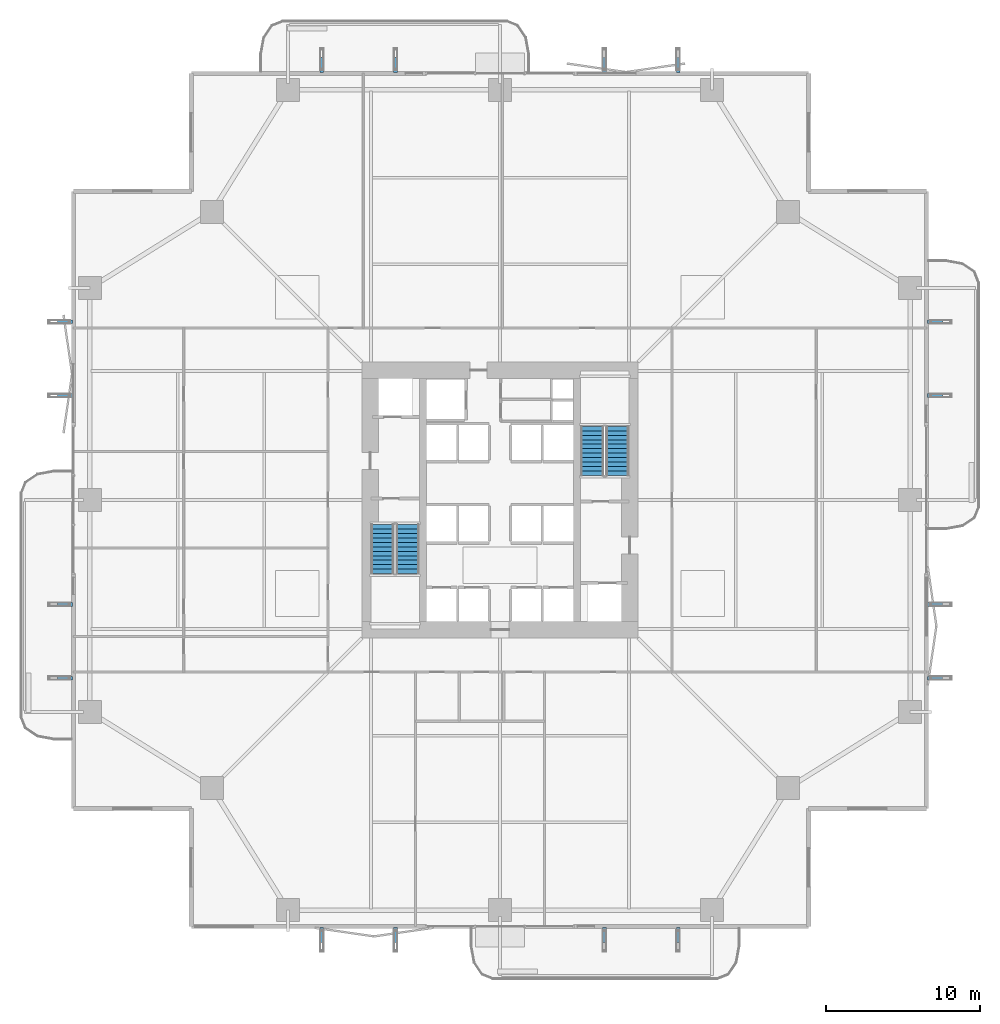
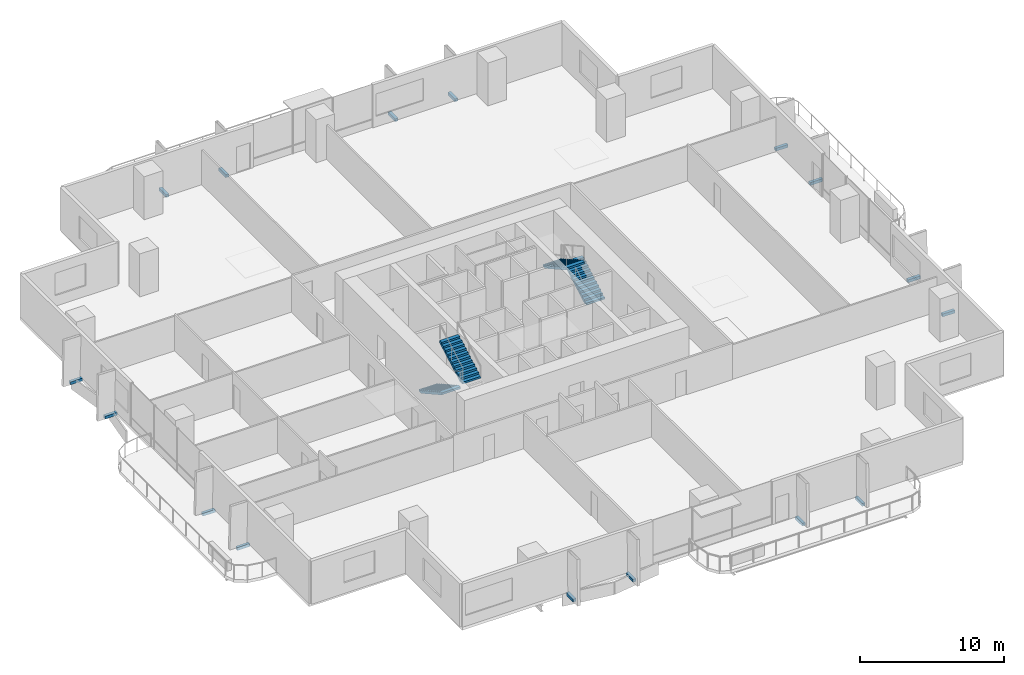
# One storey, part 20 of 24: 16 discrete accessories, 4 stair flights, 2 elements without a shape of their own.
"""IFC4 building model written with IfcOpenShell, lengths in metres."""

from ifc_helpers import new_model, si_unit, direction, frame, origin, origin_2d, place, context, subcontext, project, spatial, polyline, rectangle, outline, extrude, material, layer, layer_set, type_object, element, aggregate, save


model = new_model("IFC4")

# Units and contexts
model_context = context("Model", 3, precision=1e-05, world=origin(), true_north=direction((0.0, 1.0)))
body_context = subcontext(model_context, "Body", "Model", "MODEL_VIEW")
ifc_project = project(units=[si_unit("LENGTHUNIT", "METRE"), si_unit("AREAUNIT", "SQUARE_METRE"), si_unit("VOLUMEUNIT", "CUBIC_METRE"), si_unit("PLANEANGLEUNIT", "RADIAN"), si_unit("MASSUNIT", "GRAM", prefix="KILO")], contexts=[model_context])

# Site, building, storey
site_placement = place(None, origin())
site = spatial("IfcSite", under=ifc_project, at=site_placement, CompositionType="ELEMENT")
building_placement = place(site_placement, origin())
building = spatial("IfcBuilding", under=site, at=building_placement, Name="Belovzor Exchange Tower", CompositionType="ELEMENT")
storey_placement = place(building_placement, frame((0.0, 0.0, 80.699951171875)))
storey = spatial("IfcBuildingStorey", under=building, at=storey_placement, Name="L19", CompositionType="ELEMENT", Elevation=80.699951171875)

# Stair, stair flights
ifc_material_1 = material(Name="Concrete C40/50", Category="concrete")
stair_type = type_object("IfcStairType", Name="Reinforced Concrete Dogleg Escape Stair 1350", PredefinedType="HALF_TURN_STAIR", material=ifc_material_1)
stair_1_placement = place(storey_placement, origin())
stair_1 = element("IfcStair", 1, at=stair_1_placement, inside=storey, type_object=stair_type, Name="L19 ST-1", PredefinedType="HALF_TURN_STAIR")
ifc_material_2 = material(Name="Concrete C40/50", Category="concrete")
stair_flight_type = type_object("IfcStairFlightType", Name="Reinforced Concrete Stair Flight 1350", PredefinedType="STRAIGHT", material=ifc_material_2)
stair_flight_1_placement = place(storey_placement, frame((21.14990234375, 27.199951171875, 0.0), z_axis=(0.0, 0.0, 1.0), x_axis=(0.0, -1.0, 0.0)))
stair_flight_1 = element("IfcStairFlight", 2, at=stair_flight_1_placement, type_object=stair_flight_type, Name="ST-1 flight 1", NumberOfRisers=12, NumberOfTreads=11, PredefinedType="STRAIGHT", RiserHeight=0.1625, TreadLength=0.29, context=body_context, shape_type="SweptSolid", body=[
    extrude(outline(polyline([(0.0, 0.0), (0.0, 0.16259765625), (0.2900390625, 0.16259765625), (0.2900390625, 0.324951171875), (0.580078125, 0.324951171875), (0.580078125, 0.487548828125), (0.8701171875, 0.487548828125), (0.8701171875, 0.64990234375), (1.159912109375, 0.64990234375), (1.159912109375, 0.8125), (1.449951171875, 0.8125), (1.449951171875, 0.97509765625), (1.739990234375, 0.97509765625), (1.739990234375, 1.137451171875), (2.030029296875, 1.137451171875), (2.030029296875, 1.300048828125), (2.320068359375, 1.300048828125), (2.320068359375, 1.46240234375), (2.610107421875, 1.46240234375), (2.610107421875, 1.625), (2.89990234375, 1.625), (2.89990234375, 1.78759765625), (3.18994140625, 1.78759765625), (3.18994140625, 1.949951171875), (3.18994140625, 1.61572265625), (0.306640625, 0.0), (0.0, 0.0)])), frame((0.0, 0.75, 0.0), z_axis=(0.0, -1.0, 0.0), x_axis=(1.0, 0.0, 0.0)), (0.0, 0.0, 1.0), 1.5),
])
stair_flight_2_placement = place(storey_placement, frame((22.800048828125, 24.010009765625, 1.949951171875), z_axis=(0.0, 0.0, 1.0), x_axis=(0.0, 1.0, 0.0)))
stair_flight_2 = element("IfcStairFlight", 3, at=stair_flight_2_placement, type_object=stair_flight_type, Name="ST-1 flight 2", NumberOfRisers=12, NumberOfTreads=11, PredefinedType="STRAIGHT", RiserHeight=0.1625, TreadLength=0.29, context=body_context, shape_type="SweptSolid", body=[
    extrude(outline(polyline([(0.0, 0.0), (0.0, 0.16259765625), (0.2900390625, 0.16259765625), (0.2900390625, 0.324951171875), (0.580078125, 0.324951171875), (0.580078125, 0.487548828125), (0.8701171875, 0.487548828125), (0.8701171875, 0.64990234375), (1.159912109375, 0.64990234375), (1.159912109375, 0.8125), (1.449951171875, 0.8125), (1.449951171875, 0.97509765625), (1.739990234375, 0.97509765625), (1.739990234375, 1.137451171875), (2.030029296875, 1.137451171875), (2.030029296875, 1.300048828125), (2.320068359375, 1.300048828125), (2.320068359375, 1.46240234375), (2.610107421875, 1.46240234375), (2.610107421875, 1.625), (2.89990234375, 1.625), (2.89990234375, 1.78759765625), (3.18994140625, 1.78759765625), (3.18994140625, 1.949951171875), (3.18994140625, 1.61572265625), (0.306640625, 0.0), (0.0, 0.0)])), frame((0.0, 0.75, 0.0), z_axis=(0.0, -1.0, 0.0), x_axis=(1.0, 0.0, 0.0)), (0.0, 0.0, 1.0), 1.5),
])
aggregate(stair_1, [stair_flight_1, stair_flight_2])

stair_2_placement = place(storey_placement, origin())
stair_2 = element("IfcStair", 4, at=stair_2_placement, inside=storey, type_object=stair_type, Name="L19 ST-2", PredefinedType="HALF_TURN_STAIR")
stair_flight_3_placement = place(storey_placement, frame((36.449951171875, 30.39990234375, 0.0), z_axis=(0.0, 0.0, 1.0), x_axis=(0.0, 1.0, 0.0)))
stair_flight_3 = element("IfcStairFlight", 5, at=stair_flight_3_placement, type_object=stair_flight_type, Name="ST-2 flight 1", NumberOfRisers=12, NumberOfTreads=11, PredefinedType="STRAIGHT", RiserHeight=0.1625, TreadLength=0.29, context=body_context, shape_type="SweptSolid", body=[
    extrude(outline(polyline([(0.0, 0.0), (0.0, 0.16259765625), (0.2900390625, 0.16259765625), (0.2900390625, 0.324951171875), (0.580078125, 0.324951171875), (0.580078125, 0.487548828125), (0.8701171875, 0.487548828125), (0.8701171875, 0.64990234375), (1.159912109375, 0.64990234375), (1.159912109375, 0.8125), (1.449951171875, 0.8125), (1.449951171875, 0.97509765625), (1.739990234375, 0.97509765625), (1.739990234375, 1.137451171875), (2.030029296875, 1.137451171875), (2.030029296875, 1.300048828125), (2.320068359375, 1.300048828125), (2.320068359375, 1.46240234375), (2.610107421875, 1.46240234375), (2.610107421875, 1.625), (2.89990234375, 1.625), (2.89990234375, 1.78759765625), (3.18994140625, 1.78759765625), (3.18994140625, 1.949951171875), (3.18994140625, 1.61572265625), (0.306640625, 0.0), (0.0, 0.0)])), frame((0.0, 0.75, 0.0), z_axis=(0.0, -1.0, 0.0), x_axis=(1.0, 0.0, 0.0)), (0.0, 0.0, 1.0), 1.5),
])
stair_flight_4_placement = place(storey_placement, frame((34.800048828125, 33.590087890625, 1.949951171875), z_axis=(0.0, 0.0, 1.0), x_axis=(0.0, -1.0, 0.0)))
stair_flight_4 = element("IfcStairFlight", 6, at=stair_flight_4_placement, type_object=stair_flight_type, Name="ST-2 flight 2", NumberOfRisers=12, NumberOfTreads=11, PredefinedType="STRAIGHT", RiserHeight=0.1625, TreadLength=0.29, context=body_context, shape_type="SweptSolid", body=[
    extrude(outline(polyline([(0.0, 0.0), (0.0, 0.16259765625), (0.2900390625, 0.16259765625), (0.2900390625, 0.324951171875), (0.580078125, 0.324951171875), (0.580078125, 0.487548828125), (0.8701171875, 0.487548828125), (0.8701171875, 0.64990234375), (1.159912109375, 0.64990234375), (1.159912109375, 0.8125), (1.449951171875, 0.8125), (1.449951171875, 0.97509765625), (1.739990234375, 0.97509765625), (1.739990234375, 1.137451171875), (2.030029296875, 1.137451171875), (2.030029296875, 1.300048828125), (2.320068359375, 1.300048828125), (2.320068359375, 1.46240234375), (2.610107421875, 1.46240234375), (2.610107421875, 1.625), (2.89990234375, 1.625), (2.89990234375, 1.78759765625), (3.18994140625, 1.78759765625), (3.18994140625, 1.949951171875), (3.18994140625, 1.61572265625), (0.306640625, 0.0), (0.0, 0.0)])), frame((0.0, 0.75, 0.0), z_axis=(0.0, -1.0, 0.0), x_axis=(1.0, 0.0, 0.0)), (0.0, 0.0, 1.0), 1.5),
])
aggregate(stair_2, [stair_flight_3, stair_flight_4])

# Discrete accessories
ifc_material_3 = material(Name="Stainless Steel Grade 316", Category="steel")
ifc_layer = layer(ifc_material_3, 0.179931640625)
ifc_layer_set = layer_set([ifc_layer], Name="Stainless Steel Grade 316")
discrete_accessory_type = type_object("IfcDiscreteAccessoryType", Name="Stainless Steel Facade Outrigger Fixing Bracket", PredefinedType="BRACKET", material=ifc_layer_set)
for number, where, z_axis, x_axis, name in (
    (7, (17.199951171875, 0.486083984375, -0.2451171875), (0.0, 0.0, 1.0), (0.0, 1.0, 0.0), "BRK-FIN1 Sweeping Fin Outrigger Bracket L19 S1"),
    (8, (17.199951171875, 57.114013671875, -0.2451171875), (0.0, 0.0, 1.0), (0.0, 1.0, 0.0), "BRK-FIN1 Sweeping Fin Outrigger Bracket L19 N1"),
    (9, (0.486083984375, 17.199951171875, -0.2451171875), (0.0, 0.0, 1.0), (1.0, 0.0, 0.0), "BRK-FIN1 Sweeping Fin Outrigger Bracket L19 W1"),
    (10, (57.114013671875, 17.199951171875, -0.2451171875), (0.0, 0.0, 1.0), (1.0, 0.0, 0.0), "BRK-FIN1 Sweeping Fin Outrigger Bracket L19 E1"),
    (11, (22.0, 0.486083984375, -0.2451171875), (0.0, 0.0, 1.0), (0.0, 1.0, 0.0), "BRK-FIN1 Sweeping Fin Outrigger Bracket L19 S2"),
    (12, (22.0, 57.114013671875, -0.2451171875), (0.0, 0.0, 1.0), (0.0, 1.0, 0.0), "BRK-FIN1 Sweeping Fin Outrigger Bracket L19 N2"),
    (13, (0.486083984375, 22.0, -0.2451171875), (0.0, 0.0, 1.0), (1.0, 0.0, 0.0), "BRK-FIN1 Sweeping Fin Outrigger Bracket L19 W2"),
    (14, (57.114013671875, 22.0, -0.2451171875), (0.0, 0.0, 1.0), (1.0, 0.0, 0.0), "BRK-FIN1 Sweeping Fin Outrigger Bracket L19 E2"),
    (15, (35.60009765625, 0.486083984375, -0.2451171875), (0.0, 0.0, 1.0), (0.0, 1.0, 0.0), "BRK-FIN1 Sweeping Fin Outrigger Bracket L19 S3"),
    (16, (35.60009765625, 57.114013671875, -0.2451171875), (0.0, 0.0, 1.0), (0.0, 1.0, 0.0), "BRK-FIN1 Sweeping Fin Outrigger Bracket L19 N3"),
    (17, (0.486083984375, 35.60009765625, -0.2451171875), (0.0, 0.0, 1.0), (1.0, 0.0, 0.0), "BRK-FIN1 Sweeping Fin Outrigger Bracket L19 W3"),
    (18, (57.114013671875, 35.60009765625, -0.2451171875), (0.0, 0.0, 1.0), (1.0, 0.0, 0.0), "BRK-FIN1 Sweeping Fin Outrigger Bracket L19 E3"),
    (19, (40.39990234375, 0.486083984375, -0.2451171875), (0.0, 0.0, 1.0), (0.0, 1.0, 0.0), "BRK-FIN1 Sweeping Fin Outrigger Bracket L19 S4"),
    (20, (40.39990234375, 57.114013671875, -0.2451171875), (0.0, 0.0, 1.0), (0.0, 1.0, 0.0), "BRK-FIN1 Sweeping Fin Outrigger Bracket L19 N4"),
    (21, (0.486083984375, 40.39990234375, -0.2451171875), (0.0, 0.0, 1.0), (1.0, 0.0, 0.0), "BRK-FIN1 Sweeping Fin Outrigger Bracket L19 W4"),
    (22, (57.114013671875, 40.39990234375, -0.2451171875), (0.0, 0.0, 1.0), (1.0, 0.0, 0.0), "BRK-FIN1 Sweeping Fin Outrigger Bracket L19 E4"),
):
    element("IfcDiscreteAccessory", number, at=place(storey_placement, frame(where, z_axis=z_axis, x_axis=x_axis)), inside=storey, type_object=discrete_accessory_type, Name=name, PredefinedType="BRACKET", context=body_context, shape_type="SweptSolid", body=[
        extrude(rectangle(XDim=0.988037109375, YDim=0.239990234375, at=origin_2d()), origin(), (0.0, 0.0, 1.0), 0.239990234375),
    ])

save(model, "model.ifc")
